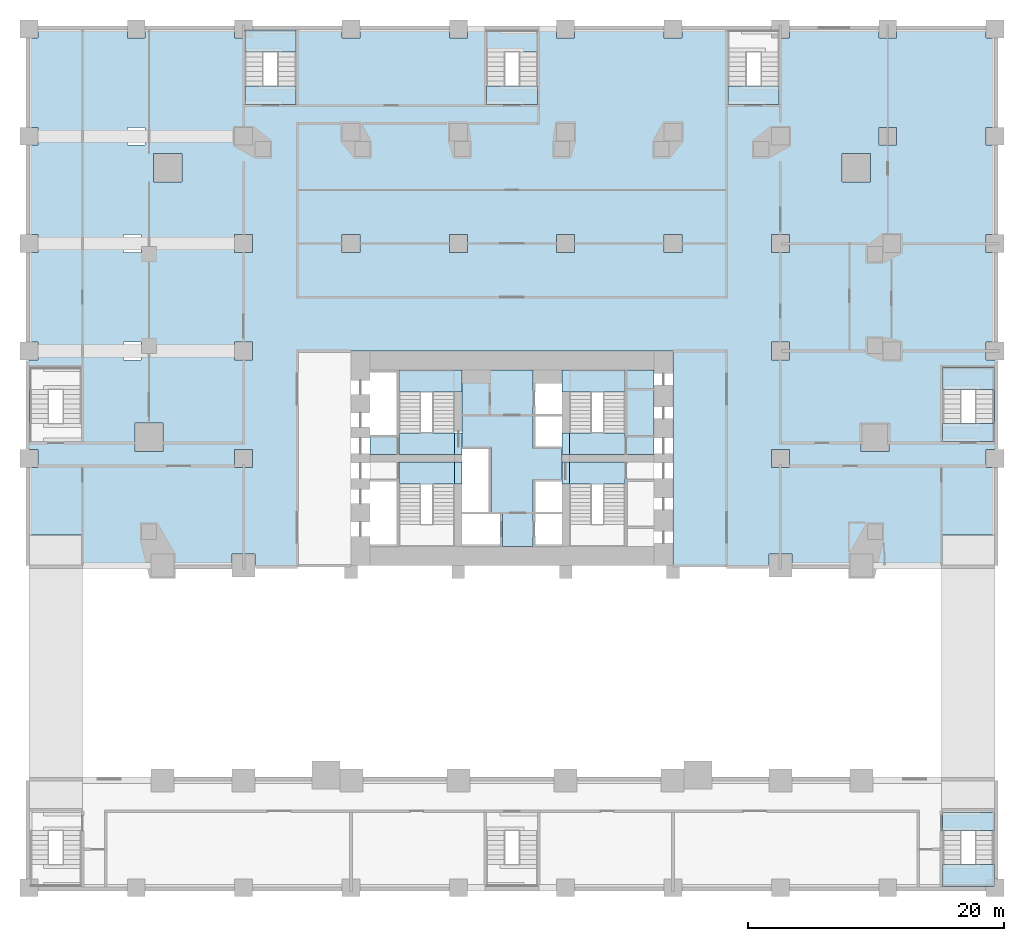
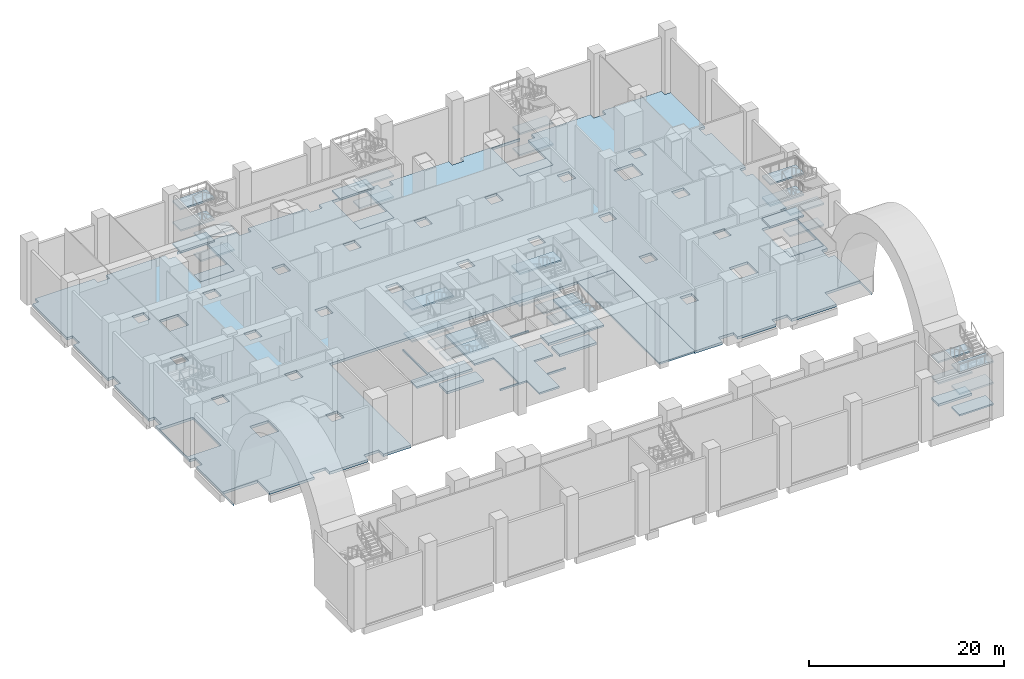
# One storey, part 3 of 19: 42 slabs, 9 elements without a shape of their own.
"""IFC4 building model written with IfcOpenShell, lengths in metres."""

from ifc_helpers import new_model, si_unit, direction, frame, origin, place, context, subcontext, project, spatial, polyline, outline, extrude, material, layer, layer_set, type_object, element, aggregate, save


model = new_model("IFC4")

# Units and contexts
model_context = context("Model", 3, precision=1e-05, world=origin(), true_north=direction((0.0, 1.0)))
body_context = subcontext(model_context, "Body", "Model", "MODEL_VIEW")
ifc_project = project(units=[si_unit("LENGTHUNIT", "METRE"), si_unit("AREAUNIT", "SQUARE_METRE"), si_unit("VOLUMEUNIT", "CUBIC_METRE"), si_unit("PLANEANGLEUNIT", "RADIAN"), si_unit("MASSUNIT", "GRAM", prefix="KILO")], contexts=[model_context])

# Site, building, storey
site_placement = place(None, origin())
site = spatial("IfcSite", under=ifc_project, at=site_placement, CompositionType="ELEMENT")
building_placement = place(site_placement, origin())
building = spatial("IfcBuilding", under=site, at=building_placement, Name="Marenta Gate Hotel Tower", CompositionType="ELEMENT")
storey_placement = place(building_placement, frame((0.0, 0.0, 13.0)))
storey = spatial("IfcBuildingStorey", under=building, at=storey_placement, Name="L02", CompositionType="ELEMENT", Elevation=13.0)

# Slabs
ifc_material_1 = material(Name="Concrete C40", Category="concrete")
ifc_layer_1 = layer(ifc_material_1, 0.219970703125)
ifc_layer_set_1 = layer_set([ifc_layer_1], Name="Concrete C40")
slab_type_1 = type_object("IfcSlabType", Name="Core floor slab 220", PredefinedType="FLOOR", material=ifc_layer_set_1)
slab_1_placement = place(storey_placement, frame((0.0, 0.0, -0.219970703125)))
element("IfcSlab", 1, at=slab_1_placement, inside=storey, type_object=slab_type_1, Name="L02-CF-1", PredefinedType="FLOOR", context=body_context, shape_type="SweptSolid", body=[
    extrude(outline(polyline([(12.60009765625, 0.0), (12.60009765625, 16.800048828125), (16.800048828125, 16.800048828125), (16.800048828125, 0.0), (12.60009765625, 0.0)])), origin(), (0.0, 0.0, 1.0), 0.219970703125),
])
slab_2_placement = place(storey_placement, frame((0.0, 0.0, -0.219970703125)))
element("IfcSlab", 2, at=slab_2_placement, inside=storey, type_object=slab_type_1, Name="L02-CF-2", PredefinedType="FLOOR", context=body_context, shape_type="SweptSolid", body=[
    extrude(outline(polyline([(8.85009765625, 15.300048828125), (11.10009765625, 15.300048828125), (11.10009765625, 8.699951171875), (8.85009765625, 8.699951171875), (8.85009765625, 10.39990234375), (8.85009765625, 15.300048828125)])), origin(), (0.0, 0.0, 1.0), 0.219970703125),
])
slab_3_placement = place(storey_placement, frame((0.0, 0.0, -0.219970703125)))
element("IfcSlab", 3, at=slab_3_placement, inside=storey, type_object=slab_type_1, Name="L02-CF-4", PredefinedType="FLOOR", context=body_context, shape_type="SweptSolid", body=[
    extrude(outline(polyline([(1.64990234375, 14.25), (1.64990234375, 11.85009765625), (1.800048828125, 11.85009765625), (3.89990234375, 11.85009765625), (3.89990234375, 11.699951171875), (1.800048828125, 11.699951171875), (1.64990234375, 11.699951171875), (1.64990234375, 9.300048828125), (1.64990234375, 9.14990234375), (3.89990234375, 9.14990234375), (3.89990234375, 9.300048828125), (3.89990234375, 10.39990234375), (3.89990234375, 10.39990234375), (3.89990234375, 6.39990234375), (3.89990234375, 6.39990234375), (3.89990234375, 6.60009765625), (3.89990234375, 6.75), (1.64990234375, 6.75), (1.64990234375, 6.60009765625), (1.64990234375, 4.199951171875), (1.800048828125, 4.199951171875), (3.89990234375, 4.199951171875), (3.89990234375, 4.050048828125), (1.800048828125, 4.050048828125), (1.64990234375, 4.050048828125), (1.64990234375, 1.64990234375), (1.64990234375, 1.5), (-0.75, 1.5), (-0.75, 4.050048828125), (-0.89990234375, 4.050048828125), (-3.89990234375, 4.050048828125), (-3.89990234375, 4.199951171875), (-1.800048828125, 4.199951171875), (-1.64990234375, 4.199951171875), (-1.64990234375, 9.14990234375), (-1.64990234375, 9.300048828125), (-3.89990234375, 9.300048828125), (-3.89990234375, 9.14990234375), (-3.89990234375, 6.75), (-3.89990234375, 6.60009765625), (-3.89990234375, 6.39990234375), (-3.89990234375, 6.39990234375), (-3.89990234375, 10.39990234375), (-3.89990234375, 10.39990234375), (-3.89990234375, 15.300048828125), (1.64990234375, 15.300048828125), (1.64990234375, 14.25)])), origin(), (0.0, 0.0, 1.0), 0.219970703125),
])
slab_4_placement = place(storey_placement, frame((0.0, 0.0, -0.219970703125)))
element("IfcSlab", 4, at=slab_4_placement, inside=storey, type_object=slab_type_1, Name="L02-CF-6", PredefinedType="FLOOR", context=body_context, shape_type="SweptSolid", body=[
    extrude(outline(polyline([(-8.85009765625, 10.39990234375), (-8.85009765625, 8.699951171875), (-11.10009765625, 8.699951171875), (-11.10009765625, 10.050048828125), (-9.0, 10.050048828125), (-9.0, 10.199951171875), (-9.0, 12.60009765625), (-9.0, 12.75), (-9.0, 15.14990234375), (-9.0, 15.300048828125), (-8.85009765625, 15.300048828125), (-8.85009765625, 10.39990234375)])), origin(), (0.0, 0.0, 1.0), 0.219970703125),
])

# Stair, slab
ifc_material_2 = material(Name="Concrete C40", Category="concrete")
stair_type_1 = type_object("IfcStairType", Name="Core exit stair 1700 wide", PredefinedType="HALF_TURN_STAIR", material=ifc_material_2)
stair_1_placement = place(storey_placement, origin())
stair_1 = element("IfcStair", 5, at=stair_1_placement, inside=storey, type_object=stair_type_1, Name="Exit stair 1", PredefinedType="HALF_TURN_STAIR")
ifc_material_3 = material(Name="Concrete C40", Category="concrete")
ifc_layer_2 = layer(ifc_material_3, 0.199951171875)
ifc_layer_set_2 = layer_set([ifc_layer_2], Name="Concrete C40")
slab_type_2 = type_object("IfcSlabType", Name="Core stair landing 200", PredefinedType="LANDING", material=ifc_layer_set_2)
slab_5_placement = place(storey_placement, frame((0.0, 0.0, 3.800048828125)))
slab_5 = element("IfcSlab", 6, at=slab_5_placement, type_object=slab_type_2, Name="SL-200 ST1 landing 2", PredefinedType="LANDING", context=body_context, shape_type="SweptSolid", body=[
    extrude(outline(polyline([(-8.85009765625, 6.39990234375), (-3.89990234375, 6.39990234375), (-3.89990234375, 8.10009765625), (-8.85009765625, 8.10009765625), (-8.85009765625, 6.39990234375)])), origin(), (0.0, 0.0, 1.0), 0.199951171875),
])
aggregate(stair_1, [slab_5])

# Stair, slabs
stair_2_placement = place(storey_placement, origin())
stair_2 = element("IfcStair", 7, at=stair_2_placement, inside=storey, type_object=stair_type_1, Name="Exit stair 2", PredefinedType="HALF_TURN_STAIR")
slab_6_placement = place(storey_placement, frame((0.0, 0.0, 1.800048828125)))
slab_6 = element("IfcSlab", 8, at=slab_6_placement, type_object=slab_type_2, Name="SL-200 ST2 landing 1", PredefinedType="LANDING", context=body_context, shape_type="SweptSolid", body=[
    extrude(outline(polyline([(-8.85009765625, 13.590087890625), (-3.89990234375, 13.590087890625), (-3.89990234375, 15.300048828125), (-8.85009765625, 15.300048828125), (-8.85009765625, 13.590087890625)])), origin(), (0.0, 0.0, 1.0), 0.199951171875),
])
slab_7_placement = place(storey_placement, frame((0.0, 0.0, 3.800048828125)))
slab_7 = element("IfcSlab", 9, at=slab_7_placement, type_object=slab_type_2, Name="SL-200 ST2 landing 2", PredefinedType="LANDING", context=body_context, shape_type="SweptSolid", body=[
    extrude(outline(polyline([(-8.85009765625, 8.699951171875), (-3.89990234375, 8.699951171875), (-3.89990234375, 10.39990234375), (-8.85009765625, 10.39990234375), (-8.85009765625, 8.699951171875)])), origin(), (0.0, 0.0, 1.0), 0.199951171875),
])
slab_8_placement = place(storey_placement, frame((0.0, 0.0, 5.800048828125)))
slab_8 = element("IfcSlab", 10, at=slab_8_placement, type_object=slab_type_2, Name="SL-200 ST2 landing 3", PredefinedType="LANDING", context=body_context, shape_type="SweptSolid", body=[
    extrude(outline(polyline([(-8.85009765625, 13.590087890625), (-3.89990234375, 13.590087890625), (-3.89990234375, 15.300048828125), (-8.85009765625, 15.300048828125), (-8.85009765625, 13.590087890625)])), origin(), (0.0, 0.0, 1.0), 0.199951171875),
])
aggregate(stair_2, [slab_6, slab_7, slab_8])

# Stair, slab
stair_3_placement = place(storey_placement, origin())
stair_3 = element("IfcStair", 11, at=stair_3_placement, inside=storey, type_object=stair_type_1, Name="Exit stair 3", PredefinedType="HALF_TURN_STAIR")
slab_9_placement = place(storey_placement, frame((0.0, 0.0, 3.800048828125)))
slab_9 = element("IfcSlab", 12, at=slab_9_placement, type_object=slab_type_2, Name="SL-200 ST3 landing 2", PredefinedType="LANDING", context=body_context, shape_type="SweptSolid", body=[
    extrude(outline(polyline([(3.89990234375, 6.39990234375), (8.85009765625, 6.39990234375), (8.85009765625, 8.10009765625), (3.89990234375, 8.10009765625), (3.89990234375, 6.39990234375)])), origin(), (0.0, 0.0, 1.0), 0.199951171875),
])
aggregate(stair_3, [slab_9])

# Stair, slabs
stair_4_placement = place(storey_placement, origin())
stair_4 = element("IfcStair", 13, at=stair_4_placement, inside=storey, type_object=stair_type_1, Name="Exit stair 4", PredefinedType="HALF_TURN_STAIR")
slab_10_placement = place(storey_placement, frame((0.0, 0.0, 1.800048828125)))
slab_10 = element("IfcSlab", 14, at=slab_10_placement, type_object=slab_type_2, Name="SL-200 ST4 landing 1", PredefinedType="LANDING", context=body_context, shape_type="SweptSolid", body=[
    extrude(outline(polyline([(3.89990234375, 13.590087890625), (8.85009765625, 13.590087890625), (8.85009765625, 15.300048828125), (3.89990234375, 15.300048828125), (3.89990234375, 13.590087890625)])), origin(), (0.0, 0.0, 1.0), 0.199951171875),
])
slab_11_placement = place(storey_placement, frame((0.0, 0.0, 3.800048828125)))
slab_11 = element("IfcSlab", 15, at=slab_11_placement, type_object=slab_type_2, Name="SL-200 ST4 landing 2", PredefinedType="LANDING", context=body_context, shape_type="SweptSolid", body=[
    extrude(outline(polyline([(3.89990234375, 8.699951171875), (8.85009765625, 8.699951171875), (8.85009765625, 10.39990234375), (3.89990234375, 10.39990234375), (3.89990234375, 8.699951171875)])), origin(), (0.0, 0.0, 1.0), 0.199951171875),
])
slab_12_placement = place(storey_placement, frame((0.0, 0.0, 5.800048828125)))
slab_12 = element("IfcSlab", 16, at=slab_12_placement, type_object=slab_type_2, Name="SL-200 ST4 landing 3", PredefinedType="LANDING", context=body_context, shape_type="SweptSolid", body=[
    extrude(outline(polyline([(3.89990234375, 13.590087890625), (8.85009765625, 13.590087890625), (8.85009765625, 15.300048828125), (3.89990234375, 15.300048828125), (3.89990234375, 13.590087890625)])), origin(), (0.0, 0.0, 1.0), 0.199951171875),
])
aggregate(stair_4, [slab_10, slab_11, slab_12])

ifc_material_4 = material(Name="Concrete C40", Category="concrete")
stair_type_2 = type_object("IfcStairType", Name="Podium exit stair 1430 wide", PredefinedType="HALF_TURN_STAIR", material=ifc_material_4)
stair_5_placement = place(storey_placement, origin())
stair_5 = element("IfcStair", 17, at=stair_5_placement, inside=storey, type_object=stair_type_2, Name="Podium exit stair 2", PredefinedType="HALF_TURN_STAIR")
slab_13_placement = place(storey_placement, frame((0.0, 0.0, 1.13330078125)))
slab_13 = element("IfcSlab", 18, at=slab_13_placement, type_object=slab_type_2, Name="SL-200 PX2 landing 1", PredefinedType="LANDING", context=body_context, shape_type="SweptSolid", body=[
    extrude(outline(polyline([(33.699951171875, -25.10009765625), (37.739990234375, -25.10009765625), (37.739990234375, -23.389892578125), (33.699951171875, -23.389892578125), (33.699951171875, -25.10009765625)])), origin(), (0.0, 0.0, 1.0), 0.199951171875),
])
slab_14_placement = place(storey_placement, frame((0.0, 0.0, 2.466552734375)))
slab_14 = element("IfcSlab", 19, at=slab_14_placement, type_object=slab_type_2, Name="SL-200 PX2 landing 2", PredefinedType="LANDING", context=body_context, shape_type="SweptSolid", body=[
    extrude(outline(polyline([(33.699951171875, -20.72998046875), (37.739990234375, -20.72998046875), (37.739990234375, -19.300048828125), (33.699951171875, -19.300048828125), (33.699951171875, -20.72998046875)])), origin(), (0.0, 0.0, 1.0), 0.2001953125),
])
slab_15_placement = place(storey_placement, frame((0.0, 0.0, 3.800048828125)))
slab_15 = element("IfcSlab", 20, at=slab_15_placement, type_object=slab_type_2, Name="SL-200 PX2 landing 3", PredefinedType="LANDING", context=body_context, shape_type="SweptSolid", body=[
    extrude(outline(polyline([(33.699951171875, -25.10009765625), (37.739990234375, -25.10009765625), (37.739990234375, -23.389892578125), (33.699951171875, -23.389892578125), (33.699951171875, -25.10009765625)])), origin(), (0.0, 0.0, 1.0), 0.199951171875),
])
slab_16_placement = place(storey_placement, frame((0.0, 0.0, 5.13330078125)))
slab_16 = element("IfcSlab", 21, at=slab_16_placement, type_object=slab_type_2, Name="SL-200 PX2 landing 4", PredefinedType="LANDING", context=body_context, shape_type="SweptSolid", body=[
    extrude(outline(polyline([(33.699951171875, -20.72998046875), (37.739990234375, -20.72998046875), (37.739990234375, -19.300048828125), (33.699951171875, -19.300048828125), (33.699951171875, -20.72998046875)])), origin(), (0.0, 0.0, 1.0), 0.199951171875),
])
slab_17_placement = place(storey_placement, frame((0.0, 0.0, 6.466552734375)))
slab_17 = element("IfcSlab", 22, at=slab_17_placement, type_object=slab_type_2, Name="SL-200 PX2 landing 5", PredefinedType="LANDING", context=body_context, shape_type="SweptSolid", body=[
    extrude(outline(polyline([(33.699951171875, -25.10009765625), (37.739990234375, -25.10009765625), (37.739990234375, -23.389892578125), (33.699951171875, -23.389892578125), (33.699951171875, -25.10009765625)])), origin(), (0.0, 0.0, 1.0), 0.2001953125),
])
aggregate(stair_5, [slab_13, slab_14, slab_15, slab_16, slab_17])

stair_6_placement = place(storey_placement, origin())
stair_6 = element("IfcStair", 23, at=stair_6_placement, inside=storey, type_object=stair_type_2, Name="Podium exit stair 3", PredefinedType="HALF_TURN_STAIR")
slab_18_placement = place(storey_placement, frame((0.0, 0.0, 1.13330078125)))
slab_18 = element("IfcSlab", 24, at=slab_18_placement, type_object=slab_type_2, Name="SL-200 PX3 landing 1", PredefinedType="LANDING", context=body_context, shape_type="SweptSolid", body=[
    extrude(outline(polyline([(-20.89990234375, 40.18994140625), (-16.89990234375, 40.18994140625), (-16.89990234375, 41.89990234375), (-20.89990234375, 41.89990234375), (-20.89990234375, 40.18994140625)])), origin(), (0.0, 0.0, 1.0), 0.199951171875),
])
slab_19_placement = place(storey_placement, frame((0.0, 0.0, 2.466552734375)))
slab_19 = element("IfcSlab", 25, at=slab_19_placement, type_object=slab_type_2, Name="SL-200 PX3 landing 2", PredefinedType="LANDING", context=body_context, shape_type="SweptSolid", body=[
    extrude(outline(polyline([(-20.89990234375, 36.10009765625), (-16.89990234375, 36.10009765625), (-16.89990234375, 37.530029296875), (-20.89990234375, 37.530029296875), (-20.89990234375, 36.10009765625)])), origin(), (0.0, 0.0, 1.0), 0.2001953125),
])
slab_20_placement = place(storey_placement, frame((0.0, 0.0, 3.800048828125)))
slab_20 = element("IfcSlab", 26, at=slab_20_placement, type_object=slab_type_2, Name="SL-200 PX3 landing 3", PredefinedType="LANDING", context=body_context, shape_type="SweptSolid", body=[
    extrude(outline(polyline([(-20.89990234375, 40.18994140625), (-16.89990234375, 40.18994140625), (-16.89990234375, 41.89990234375), (-20.89990234375, 41.89990234375), (-20.89990234375, 40.18994140625)])), origin(), (0.0, 0.0, 1.0), 0.199951171875),
])
slab_21_placement = place(storey_placement, frame((0.0, 0.0, 5.13330078125)))
slab_21 = element("IfcSlab", 27, at=slab_21_placement, type_object=slab_type_2, Name="SL-200 PX3 landing 4", PredefinedType="LANDING", context=body_context, shape_type="SweptSolid", body=[
    extrude(outline(polyline([(-20.89990234375, 36.10009765625), (-16.89990234375, 36.10009765625), (-16.89990234375, 37.530029296875), (-20.89990234375, 37.530029296875), (-20.89990234375, 36.10009765625)])), origin(), (0.0, 0.0, 1.0), 0.199951171875),
])
slab_22_placement = place(storey_placement, frame((0.0, 0.0, 6.466552734375)))
slab_22 = element("IfcSlab", 28, at=slab_22_placement, type_object=slab_type_2, Name="SL-200 PX3 landing 5", PredefinedType="LANDING", context=body_context, shape_type="SweptSolid", body=[
    extrude(outline(polyline([(-20.89990234375, 40.18994140625), (-16.89990234375, 40.18994140625), (-16.89990234375, 41.89990234375), (-20.89990234375, 41.89990234375), (-20.89990234375, 40.18994140625)])), origin(), (0.0, 0.0, 1.0), 0.2001953125),
])
aggregate(stair_6, [slab_18, slab_19, slab_20, slab_21, slab_22])

stair_7_placement = place(storey_placement, origin())
stair_7 = element("IfcStair", 29, at=stair_7_placement, inside=storey, type_object=stair_type_2, Name="Podium exit stair 4", PredefinedType="HALF_TURN_STAIR")
slab_23_placement = place(storey_placement, frame((0.0, 0.0, 2.466552734375)))
slab_23 = element("IfcSlab", 30, at=slab_23_placement, type_object=slab_type_2, Name="SL-200 PX4 landing 2", PredefinedType="LANDING", context=body_context, shape_type="SweptSolid", body=[
    extrude(outline(polyline([(16.89990234375, 36.10009765625), (20.89990234375, 36.10009765625), (20.89990234375, 37.530029296875), (16.89990234375, 37.530029296875), (16.89990234375, 36.10009765625)])), origin(), (0.0, 0.0, 1.0), 0.2001953125),
])
slab_24_placement = place(storey_placement, frame((0.0, 0.0, 5.13330078125)))
slab_24 = element("IfcSlab", 31, at=slab_24_placement, type_object=slab_type_2, Name="SL-200 PX4 landing 4", PredefinedType="LANDING", context=body_context, shape_type="SweptSolid", body=[
    extrude(outline(polyline([(16.89990234375, 36.10009765625), (20.89990234375, 36.10009765625), (20.89990234375, 37.530029296875), (16.89990234375, 37.530029296875), (16.89990234375, 36.10009765625)])), origin(), (0.0, 0.0, 1.0), 0.199951171875),
])
aggregate(stair_7, [slab_23, slab_24])

stair_8_placement = place(storey_placement, origin())
stair_8 = element("IfcStair", 32, at=stair_8_placement, inside=storey, type_object=stair_type_2, Name="Podium exit stair 7", PredefinedType="HALF_TURN_STAIR")
slab_25_placement = place(storey_placement, frame((0.0, 0.0, 1.13330078125)))
slab_25 = element("IfcSlab", 33, at=slab_25_placement, type_object=slab_type_2, Name="SL-200 PX7 landing 1", PredefinedType="LANDING", context=body_context, shape_type="SweptSolid", body=[
    extrude(outline(polyline([(33.699951171875, 13.7900390625), (37.739990234375, 13.7900390625), (37.739990234375, 15.5), (33.699951171875, 15.5), (33.699951171875, 13.7900390625)])), origin(), (0.0, 0.0, 1.0), 0.199951171875),
])
slab_26_placement = place(storey_placement, frame((0.0, 0.0, 2.466552734375)))
slab_26 = element("IfcSlab", 34, at=slab_26_placement, type_object=slab_type_2, Name="SL-200 PX7 landing 2", PredefinedType="LANDING", context=body_context, shape_type="SweptSolid", body=[
    extrude(outline(polyline([(33.699951171875, 9.699951171875), (37.739990234375, 9.699951171875), (37.739990234375, 11.1298828125), (33.699951171875, 11.1298828125), (33.699951171875, 9.699951171875)])), origin(), (0.0, 0.0, 1.0), 0.2001953125),
])
slab_27_placement = place(storey_placement, frame((0.0, 0.0, 3.800048828125)))
slab_27 = element("IfcSlab", 35, at=slab_27_placement, type_object=slab_type_2, Name="SL-200 PX7 landing 3", PredefinedType="LANDING", context=body_context, shape_type="SweptSolid", body=[
    extrude(outline(polyline([(33.699951171875, 13.7900390625), (37.739990234375, 13.7900390625), (37.739990234375, 15.5), (33.699951171875, 15.5), (33.699951171875, 13.7900390625)])), origin(), (0.0, 0.0, 1.0), 0.199951171875),
])
slab_28_placement = place(storey_placement, frame((0.0, 0.0, 5.13330078125)))
slab_28 = element("IfcSlab", 36, at=slab_28_placement, type_object=slab_type_2, Name="SL-200 PX7 landing 4", PredefinedType="LANDING", context=body_context, shape_type="SweptSolid", body=[
    extrude(outline(polyline([(33.699951171875, 9.699951171875), (37.739990234375, 9.699951171875), (37.739990234375, 11.1298828125), (33.699951171875, 11.1298828125), (33.699951171875, 9.699951171875)])), origin(), (0.0, 0.0, 1.0), 0.199951171875),
])
slab_29_placement = place(storey_placement, frame((0.0, 0.0, 6.466552734375)))
slab_29 = element("IfcSlab", 37, at=slab_29_placement, type_object=slab_type_2, Name="SL-200 PX7 landing 5", PredefinedType="LANDING", context=body_context, shape_type="SweptSolid", body=[
    extrude(outline(polyline([(33.699951171875, 13.7900390625), (37.739990234375, 13.7900390625), (37.739990234375, 15.5), (33.699951171875, 15.5), (33.699951171875, 13.7900390625)])), origin(), (0.0, 0.0, 1.0), 0.2001953125),
])
aggregate(stair_8, [slab_25, slab_26, slab_27, slab_28, slab_29])

stair_9_placement = place(storey_placement, origin())
stair_9 = element("IfcStair", 38, at=stair_9_placement, inside=storey, type_object=stair_type_2, Name="Podium exit stair 8", PredefinedType="HALF_TURN_STAIR")
slab_30_placement = place(storey_placement, frame((0.0, 0.0, 1.13330078125)))
slab_30 = element("IfcSlab", 39, at=slab_30_placement, type_object=slab_type_2, Name="SL-200 PX8 landing 1", PredefinedType="LANDING", context=body_context, shape_type="SweptSolid", body=[
    extrude(outline(polyline([(-2.0, 40.18994140625), (2.0, 40.18994140625), (2.0, 41.89990234375), (-2.0, 41.89990234375), (-2.0, 40.18994140625)])), origin(), (0.0, 0.0, 1.0), 0.199951171875),
])
slab_31_placement = place(storey_placement, frame((0.0, 0.0, 2.466552734375)))
slab_31 = element("IfcSlab", 40, at=slab_31_placement, type_object=slab_type_2, Name="SL-200 PX8 landing 2", PredefinedType="LANDING", context=body_context, shape_type="SweptSolid", body=[
    extrude(outline(polyline([(-2.0, 36.10009765625), (2.0, 36.10009765625), (2.0, 37.530029296875), (-2.0, 37.530029296875), (-2.0, 36.10009765625)])), origin(), (0.0, 0.0, 1.0), 0.2001953125),
])
slab_32_placement = place(storey_placement, frame((0.0, 0.0, 5.13330078125)))
slab_32 = element("IfcSlab", 41, at=slab_32_placement, type_object=slab_type_2, Name="SL-200 PX8 landing 4", PredefinedType="LANDING", context=body_context, shape_type="SweptSolid", body=[
    extrude(outline(polyline([(-2.0, 36.10009765625), (2.0, 36.10009765625), (2.0, 37.530029296875), (-2.0, 37.530029296875), (-2.0, 36.10009765625)])), origin(), (0.0, 0.0, 1.0), 0.199951171875),
])
aggregate(stair_9, [slab_30, slab_31, slab_32])

# Slabs
ifc_material_5 = material(Name="Concrete C40", Category="concrete")
ifc_layer_3 = layer(ifc_material_5, 0.320068359375)
ifc_layer_set_3 = layer_set([ifc_layer_3], Name="Concrete C40")
slab_type_3 = type_object("IfcSlabType", Name="Podium flat slab 320 C40", PredefinedType="FLOOR", material=ifc_layer_set_3)
slab_33_placement = place(storey_placement, frame((0.0, 0.0, -0.320068359375)))
element("IfcSlab", 42, at=slab_33_placement, inside=storey, type_object=slab_type_3, Name="PS1 L02-PSL-1", PredefinedType="FLOOR", context=body_context, shape_type="SweptSolid", body=[
    extrude(outline(polyline([(37.800048828125, 34.300048828125), (37.800048828125, 41.300048828125), (37.10009765625, 41.300048828125), (37.10009765625, 42.0), (30.10009765625, 42.0), (30.10009765625, 41.300048828125), (28.699951171875, 41.300048828125), (28.699951171875, 42.0), (21.699951171875, 42.0), (21.699951171875, 41.300048828125), (20.89990234375, 41.300048828125), (20.89990234375, 36.10009765625), (16.89990234375, 36.10009765625), (16.89990234375, 41.89990234375), (20.300048828125, 41.89990234375), (20.300048828125, 42.0), (13.300048828125, 42.0), (13.300048828125, 41.300048828125), (11.89990234375, 41.300048828125), (11.89990234375, 42.0), (4.89990234375, 42.0), (4.89990234375, 41.300048828125), (3.5, 41.300048828125), (3.5, 42.0), (-3.5, 42.0), (-3.5, 41.300048828125), (-4.89990234375, 41.300048828125), (-4.89990234375, 42.0), (-11.89990234375, 42.0), (-11.89990234375, 41.300048828125), (-13.300048828125, 41.300048828125), (-13.300048828125, 42.0), (-20.300048828125, 42.0), (-20.300048828125, 41.89990234375), (-16.89990234375, 41.89990234375), (-16.89990234375, 36.10009765625), (-20.89990234375, 36.10009765625), (-20.89990234375, 41.300048828125), (-21.699951171875, 41.300048828125), (-21.699951171875, 42.0), (-28.699951171875, 42.0), (-28.699951171875, 41.300048828125), (-30.10009765625, 41.300048828125), (-30.10009765625, 42.0), (-37.10009765625, 42.0), (-37.10009765625, 41.300048828125), (-37.800048828125, 41.300048828125), (-37.800048828125, 34.300048828125), (-37.10009765625, 34.300048828125), (-37.10009765625, 32.89990234375), (-37.800048828125, 32.89990234375), (-37.800048828125, 25.89990234375), (-37.10009765625, 25.89990234375), (-37.10009765625, 24.5), (-37.800048828125, 24.5), (-37.800048828125, 17.5), (-37.10009765625, 17.5), (-37.10009765625, 16.10009765625), (-37.800048828125, 16.10009765625), (-37.800048828125, 9.10009765625), (-37.10009765625, 9.10009765625), (-37.10009765625, 7.699951171875), (-37.800048828125, 7.699951171875), (-37.800048828125, 0.0), (-37.7900390625, 0.0), (-37.7900390625, 2.39990234375), (-33.60009765625, 2.39990234375), (-33.60009765625, 0.0), (-28.262939453125, 0.0), (-28.262939453125, 0.89990234375), (-26.462890625, 0.89990234375), (-26.462890625, 0.0), (-21.89990234375, 0.0), (-21.89990234375, 0.89990234375), (-20.10009765625, 0.89990234375), (-20.10009765625, 0.0), (-16.800048828125, 0.0), (-16.800048828125, 16.800048828125), (16.800048828125, 16.800048828125), (16.800048828125, 0.0), (20.10009765625, 0.0), (20.10009765625, 0.89990234375), (21.89990234375, 0.89990234375), (21.89990234375, 0.0), (26.462890625, 0.0), (26.462890625, 0.89990234375), (28.262939453125, 0.89990234375), (28.262939453125, 0.0), (33.60009765625, 0.0), (33.60009765625, 2.39990234375), (37.7900390625, 2.39990234375), (37.7900390625, 0.0), (37.800048828125, 0.0), (37.800048828125, 7.699951171875), (37.10009765625, 7.699951171875), (37.10009765625, 9.10009765625), (37.800048828125, 9.10009765625), (37.800048828125, 16.10009765625), (37.10009765625, 16.10009765625), (37.10009765625, 17.5), (37.800048828125, 17.5), (37.800048828125, 24.5), (37.10009765625, 24.5), (37.10009765625, 25.89990234375), (37.800048828125, 25.89990234375), (37.800048828125, 32.89990234375), (37.10009765625, 32.89990234375), (37.10009765625, 34.300048828125), (37.800048828125, 34.300048828125)]), holes=[polyline([(33.699951171875, 9.699951171875), (33.699951171875, 15.5), (37.699951171875, 15.5), (37.699951171875, 9.699951171875), (33.699951171875, 9.699951171875)]), polyline([(29.02001953125, 24.5), (29.02001953125, 25.89990234375), (30.419921875, 25.89990234375), (30.419921875, 24.5), (29.02001953125, 24.5)]), polyline([(29.02001953125, 16.10009765625), (29.02001953125, 17.5), (30.419921875, 17.5), (30.419921875, 16.10009765625), (29.02001953125, 16.10009765625)]), polyline([(28.699951171875, 34.300048828125), (30.10009765625, 34.300048828125), (30.10009765625, 32.89990234375), (28.699951171875, 32.89990234375), (28.699951171875, 34.300048828125)]), polyline([(27.300048828125, 8.949951171875), (27.300048828125, 11.14990234375), (29.5, 11.14990234375), (29.5, 8.949951171875), (27.300048828125, 8.949951171875)]), polyline([(25.83544921875, 32.235595703125), (28.035400390625, 32.235595703125), (28.035400390625, 30.035400390625), (25.83544921875, 30.035400390625), (25.83544921875, 32.235595703125)]), polyline([(20.300048828125, 32.89990234375), (20.300048828125, 34.300048828125), (21.699951171875, 34.300048828125), (21.699951171875, 32.89990234375), (20.300048828125, 32.89990234375)]), polyline([(20.300048828125, 24.5), (20.300048828125, 25.89990234375), (21.699951171875, 25.89990234375), (21.699951171875, 24.5), (20.300048828125, 24.5)]), polyline([(20.300048828125, 17.5), (21.699951171875, 17.5), (21.699951171875, 16.10009765625), (20.300048828125, 16.10009765625), (20.300048828125, 17.5)]), polyline([(20.300048828125, 9.10009765625), (21.699951171875, 9.10009765625), (21.699951171875, 7.699951171875), (20.300048828125, 7.699951171875), (20.300048828125, 9.10009765625)]), polyline([(11.89990234375, 33.219970703125), (11.89990234375, 34.6201171875), (13.300048828125, 34.6201171875), (13.300048828125, 33.219970703125), (11.89990234375, 33.219970703125)]), polyline([(11.89990234375, 24.5), (11.89990234375, 25.89990234375), (13.300048828125, 25.89990234375), (13.300048828125, 24.5), (11.89990234375, 24.5)]), polyline([(3.5, 24.5), (3.5, 25.89990234375), (4.89990234375, 25.89990234375), (4.89990234375, 24.5), (3.5, 24.5)]), polyline([(3.5, 34.6201171875), (4.89990234375, 34.6201171875), (4.89990234375, 33.219970703125), (3.5, 33.219970703125), (3.5, 34.6201171875)]), polyline([(-2.0, 36.10009765625), (-2.0, 41.89990234375), (2.0, 41.89990234375), (2.0, 36.10009765625), (-2.0, 36.10009765625)]), polyline([(-4.89990234375, 34.6201171875), (-3.5, 34.6201171875), (-3.5, 33.219970703125), (-4.89990234375, 33.219970703125), (-4.89990234375, 34.6201171875)]), polyline([(-4.89990234375, 25.89990234375), (-3.5, 25.89990234375), (-3.5, 24.5), (-4.89990234375, 24.5), (-4.89990234375, 25.89990234375)]), polyline([(-13.300048828125, 33.219970703125), (-13.300048828125, 34.6201171875), (-11.89990234375, 34.6201171875), (-11.89990234375, 33.219970703125), (-13.300048828125, 33.219970703125)]), polyline([(-13.300048828125, 24.5), (-13.300048828125, 25.89990234375), (-11.89990234375, 25.89990234375), (-11.89990234375, 24.5), (-13.300048828125, 24.5)]), polyline([(-21.699951171875, 32.89990234375), (-21.699951171875, 34.300048828125), (-20.300048828125, 34.300048828125), (-20.300048828125, 32.89990234375), (-21.699951171875, 32.89990234375)]), polyline([(-21.699951171875, 25.89990234375), (-20.300048828125, 25.89990234375), (-20.300048828125, 24.5), (-21.699951171875, 24.5), (-21.699951171875, 25.89990234375)]), polyline([(-21.699951171875, 16.10009765625), (-21.699951171875, 17.5), (-20.300048828125, 17.5), (-20.300048828125, 16.10009765625), (-21.699951171875, 16.10009765625)]), polyline([(-21.699951171875, 7.699951171875), (-21.699951171875, 9.10009765625), (-20.300048828125, 9.10009765625), (-20.300048828125, 7.699951171875), (-21.699951171875, 7.699951171875)]), polyline([(-28.035400390625, 30.035400390625), (-28.035400390625, 32.235595703125), (-25.83544921875, 32.235595703125), (-25.83544921875, 30.035400390625), (-28.035400390625, 30.035400390625)]), polyline([(-29.5, 8.949951171875), (-29.5, 11.14990234375), (-27.300048828125, 11.14990234375), (-27.300048828125, 8.949951171875), (-29.5, 8.949951171875)]), polyline([(-30.10009765625, 32.89990234375), (-30.10009765625, 34.300048828125), (-28.699951171875, 34.300048828125), (-28.699951171875, 32.89990234375), (-30.10009765625, 32.89990234375)]), polyline([(-30.419921875, 25.89990234375), (-29.02001953125, 25.89990234375), (-29.02001953125, 24.5), (-30.419921875, 24.5), (-30.419921875, 25.89990234375)]), polyline([(-30.419921875, 16.10009765625), (-30.419921875, 17.5), (-29.02001953125, 17.5), (-29.02001953125, 16.10009765625), (-30.419921875, 16.10009765625)]), polyline([(-37.699951171875, 15.5), (-33.699951171875, 15.5), (-33.699951171875, 9.699951171875), (-37.699951171875, 9.699951171875), (-37.699951171875, 15.5)])]), origin(), (0.0, 0.0, 1.0), 0.320068359375),
])
ifc_material_6 = material(Name="Concrete C40", Category="concrete")
ifc_layer_4 = layer(ifc_material_6, 0.300048828125)
ifc_layer_set_4 = layer_set([ifc_layer_4], Name="Concrete C40")
slab_type_4 = type_object("IfcSlabType", Name="Stair floor landing slab 300", PredefinedType="FLOOR", material=ifc_layer_set_4)
slab_34_placement = place(storey_placement, frame((0.0, 0.0, -0.300048828125)))
element("IfcSlab", 43, at=slab_34_placement, inside=storey, type_object=slab_type_4, Name="L02-CL-ST1-1", PredefinedType="FLOOR", context=body_context, shape_type="SweptSolid", body=[
    extrude(outline(polyline([(-4.5, 6.39990234375), (-8.85009765625, 6.39990234375), (-8.85009765625, 8.10009765625), (-4.5, 8.10009765625), (-4.5, 6.39990234375)])), origin(), (0.0, 0.0, 1.0), 0.300048828125),
])
slab_35_placement = place(storey_placement, frame((0.0, 0.0, -0.300048828125)))
element("IfcSlab", 44, at=slab_35_placement, inside=storey, type_object=slab_type_4, Name="L02-CL-ST2-1", PredefinedType="FLOOR", context=body_context, shape_type="SweptSolid", body=[
    extrude(outline(polyline([(-4.5, 8.699951171875), (-8.85009765625, 8.699951171875), (-8.85009765625, 10.39990234375), (-4.5, 10.39990234375), (-4.5, 8.699951171875)])), origin(), (0.0, 0.0, 1.0), 0.300048828125),
])
slab_36_placement = place(storey_placement, frame((0.0, 0.0, -0.300048828125)))
element("IfcSlab", 45, at=slab_36_placement, inside=storey, type_object=slab_type_4, Name="L02-CL-ST3-1", PredefinedType="FLOOR", context=body_context, shape_type="SweptSolid", body=[
    extrude(outline(polyline([(4.5, 6.39990234375), (4.5, 8.10009765625), (8.85009765625, 8.10009765625), (8.85009765625, 6.39990234375), (4.5, 6.39990234375)])), origin(), (0.0, 0.0, 1.0), 0.300048828125),
])
slab_37_placement = place(storey_placement, frame((0.0, 0.0, -0.300048828125)))
element("IfcSlab", 46, at=slab_37_placement, inside=storey, type_object=slab_type_4, Name="L02-CL-ST4-1", PredefinedType="FLOOR", context=body_context, shape_type="SweptSolid", body=[
    extrude(outline(polyline([(4.5, 8.699951171875), (4.5, 10.39990234375), (8.85009765625, 10.39990234375), (8.85009765625, 8.699951171875), (4.5, 8.699951171875)])), origin(), (0.0, 0.0, 1.0), 0.300048828125),
])
slab_38_placement = place(storey_placement, frame((0.0, 0.0, -0.300048828125)))
element("IfcSlab", 47, at=slab_38_placement, inside=storey, type_object=slab_type_4, Name="L02-CL-PX2-1", PredefinedType="FLOOR", context=body_context, shape_type="SweptSolid", body=[
    extrude(outline(polyline([(37.699951171875, -20.72998046875), (33.699951171875, -20.72998046875), (33.699951171875, -19.300048828125), (37.699951171875, -19.300048828125), (37.699951171875, -20.72998046875)])), origin(), (0.0, 0.0, 1.0), 0.300048828125),
])
slab_39_placement = place(storey_placement, frame((0.0, 0.0, -0.300048828125)))
element("IfcSlab", 48, at=slab_39_placement, inside=storey, type_object=slab_type_4, Name="L02-CL-PX3-1", PredefinedType="FLOOR", context=body_context, shape_type="SweptSolid", body=[
    extrude(outline(polyline([(-16.89990234375, 36.10009765625), (-20.89990234375, 36.10009765625), (-20.89990234375, 37.530029296875), (-16.89990234375, 37.530029296875), (-16.89990234375, 36.10009765625)])), origin(), (0.0, 0.0, 1.0), 0.300048828125),
])
slab_40_placement = place(storey_placement, frame((0.0, 0.0, -0.300048828125)))
element("IfcSlab", 49, at=slab_40_placement, inside=storey, type_object=slab_type_4, Name="L02-CL-PX4-1", PredefinedType="FLOOR", context=body_context, shape_type="SweptSolid", body=[
    extrude(outline(polyline([(20.89990234375, 36.10009765625), (16.89990234375, 36.10009765625), (16.89990234375, 37.530029296875), (20.89990234375, 37.530029296875), (20.89990234375, 36.10009765625)])), origin(), (0.0, 0.0, 1.0), 0.300048828125),
])
slab_41_placement = place(storey_placement, frame((0.0, 0.0, -0.300048828125)))
element("IfcSlab", 50, at=slab_41_placement, inside=storey, type_object=slab_type_4, Name="L02-CL-PX7-1", PredefinedType="FLOOR", context=body_context, shape_type="SweptSolid", body=[
    extrude(outline(polyline([(37.699951171875, 9.699951171875), (33.699951171875, 9.699951171875), (33.699951171875, 11.1298828125), (37.699951171875, 11.1298828125), (37.699951171875, 9.699951171875)])), origin(), (0.0, 0.0, 1.0), 0.300048828125),
])
slab_42_placement = place(storey_placement, frame((0.0, 0.0, -0.300048828125)))
element("IfcSlab", 51, at=slab_42_placement, inside=storey, type_object=slab_type_4, Name="L02-CL-PX8-1", PredefinedType="FLOOR", context=body_context, shape_type="SweptSolid", body=[
    extrude(outline(polyline([(2.0, 36.10009765625), (-2.0, 36.10009765625), (-2.0, 37.530029296875), (2.0, 37.530029296875), (2.0, 36.10009765625)])), origin(), (0.0, 0.0, 1.0), 0.300048828125),
])

save(model, "model.ifc")
